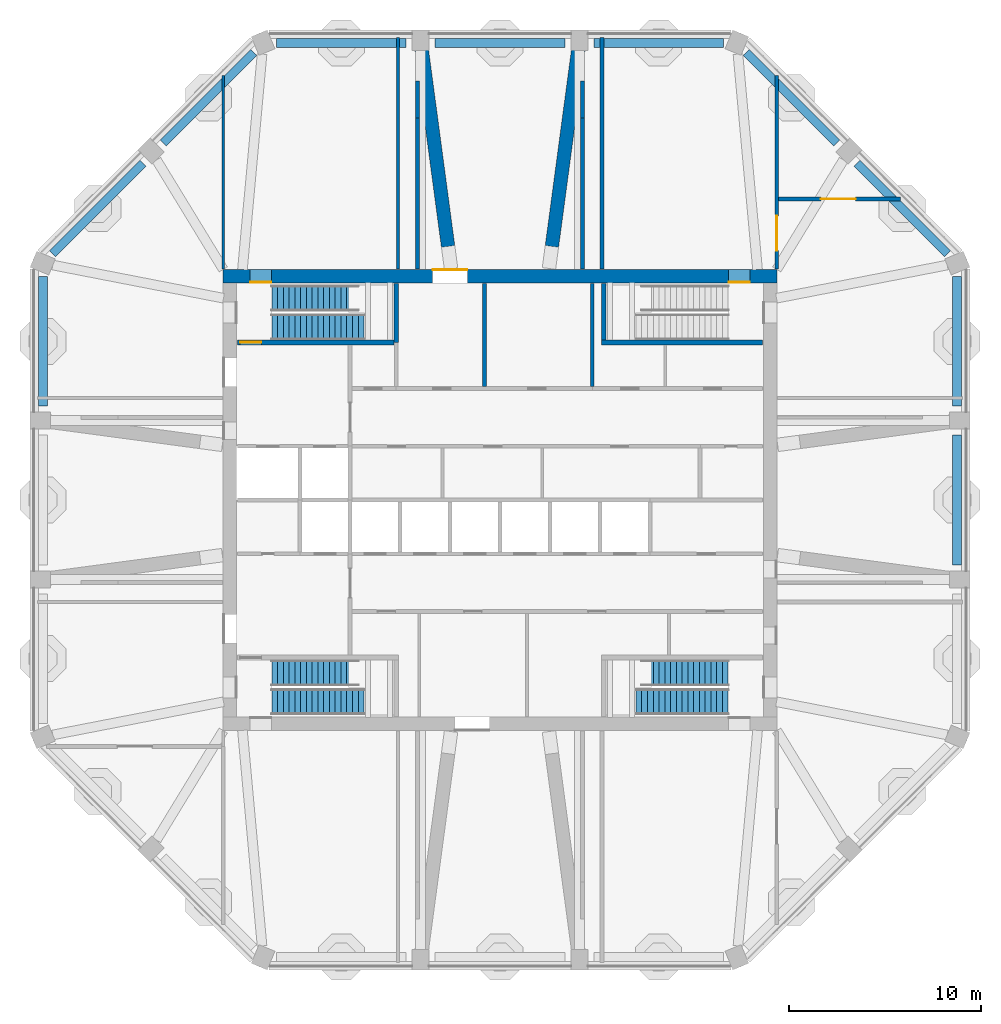
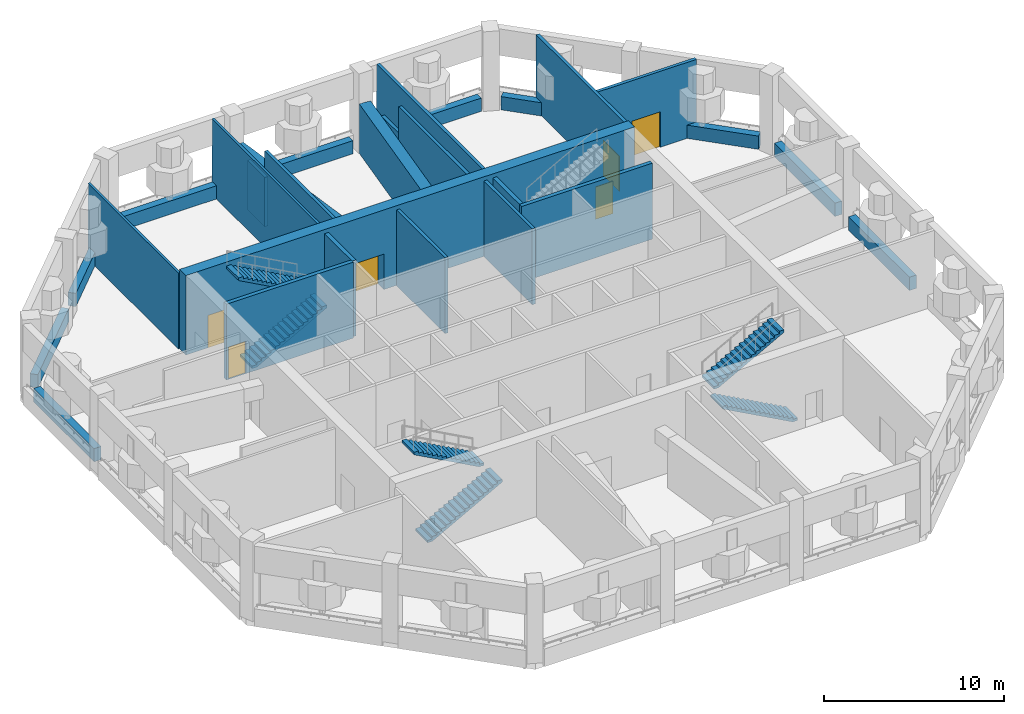
# One storey, part 5 of 9: 28 walls, 6 doors, 6 stair flights, 6 openings, 3 elements without a shape of their own.
"""IFC4 building model written with IfcOpenShell, lengths in metres."""

from ifc_helpers import new_model, si_unit, direction, frame, frame_2d, origin, place, context, subcontext, project, spatial, polyline, rectangle, outline, extrude, material, layer, layer_set, type_object, element, fill, aggregate, save


model = new_model("IFC4")

# Units and contexts
model_context = context("Model", 3, precision=1e-05, world=origin(), true_north=direction((0.0, 1.0)))
body_context = subcontext(model_context, "Body", "Model", "MODEL_VIEW")
ifc_project = project(units=[si_unit("LENGTHUNIT", "METRE"), si_unit("AREAUNIT", "SQUARE_METRE"), si_unit("VOLUMEUNIT", "CUBIC_METRE"), si_unit("PLANEANGLEUNIT", "RADIAN"), si_unit("MASSUNIT", "GRAM", prefix="KILO")], contexts=[model_context])

# Site, building, storey
site_placement = place(None, origin())
site = spatial("IfcSite", under=ifc_project, at=site_placement, CompositionType="ELEMENT")
building_placement = place(site_placement, origin())
building = spatial("IfcBuilding", under=site, at=building_placement, Name="Msitu Wima Residences", CompositionType="ELEMENT")
storey_placement = place(building_placement, frame((0.0, 0.0, 208.5)))
storey = spatial("IfcBuildingStorey", under=building, at=storey_placement, Name="L48", CompositionType="ELEMENT", Elevation=208.5)

# Walls
ifc_material_1 = material(Name="Facing brick")
ifc_layer_1 = layer(ifc_material_1, 0.06494140625, Name="Facing brick")
ifc_material_2 = material(Name="Concrete C40/50", Category="concrete")
ifc_layer_2 = layer(ifc_material_2, 0.156005859375, Name="Concrete C40/50")
ifc_material_3 = material(Name="Waterproofing membrane")
ifc_layer_3 = layer(ifc_material_3, 0.00390625, Name="Waterproofing membrane")
ifc_material_4 = material(Name="Planting soil and planting")
ifc_layer_4 = layer(ifc_material_4, 0.22509765625, Name="Planting soil and planting")
ifc_layer_set_1 = layer_set([ifc_layer_1, ifc_layer_2, ifc_layer_3, ifc_layer_4], Name="Concrete C40/50")
wall_type_1 = type_object("IfcWallType", Name="Balcony planter PLANTER PL450", PredefinedType="USERDEFINED", material=ifc_layer_set_1)
wall_1_placement = place(storey_placement, frame((23.77490234375, -3.38720703125, 0.0), z_axis=(0.0, 0.0, 1.0), x_axis=(0.0, 1.0, 0.0)))
element("IfcWall", 1, at=wall_1_placement, inside=storey, type_object=wall_type_1, Name="Refuge planter L48 E1", ObjectType="PLANTER", PredefinedType="USERDEFINED", context=body_context, shape_type="SweptSolid", body=[
    extrude(rectangle(XDim=6.7744140625, YDim=0.449951171875, at=frame_2d((3.38720703125, 0.0))), origin(), (0.0, 0.0, 1.0), 0.89990234375),
])
wall_2_placement = place(storey_placement, frame((23.77490234375, 4.88720703125, 0.0), z_axis=(0.0, 0.0, 1.0), x_axis=(0.0, 1.0, 0.0)))
element("IfcWall", 2, at=wall_2_placement, inside=storey, type_object=wall_type_1, Name="Refuge planter L48 E2", ObjectType="PLANTER", PredefinedType="USERDEFINED", context=body_context, shape_type="SweptSolid", body=[
    extrude(rectangle(XDim=6.737548828125, YDim=0.449951171875, at=frame_2d((3.36865234375, 0.0))), origin(), (0.0, 0.0, 1.0), 0.89990234375),
])
for number, where, z_axis, x_axis, name in (
    (3, (23.284423828125, 12.809326171875, 0.0), (0.0, 0.0, 1.0), (-0.707125118305, 0.707088443593, 0.0), "Refuge planter L48 NE0"),
    (4, (17.516357421875, 18.5771484375, 0.0), (0.0, 0.0, 1.0), (-0.707088443593, 0.707125118305, 0.0), "Refuge planter L48 NE1"),
):
    element("IfcWall", number, at=place(storey_placement, frame(where, z_axis=z_axis, x_axis=x_axis)), inside=storey, type_object=wall_type_1, Name=name, ObjectType="PLANTER", PredefinedType="USERDEFINED", context=body_context, shape_type="SweptSolid", body=[
        extrude(rectangle(XDim=6.656982421875, YDim=0.449951171875, at=frame_2d((3.32861328125, 0.0))), origin(), (0.0, 0.0, 1.0), 0.89990234375),
    ])
wall_3_placement = place(storey_placement, frame((11.624755859375, 23.77490234375, 0.0), z_axis=(0.0, 0.0, 1.0), x_axis=(-1.0, 0.0, 0.0)))
element("IfcWall", 5, at=wall_3_placement, inside=storey, type_object=wall_type_1, Name="Refuge planter L48 N0", ObjectType="PLANTER", PredefinedType="USERDEFINED", context=body_context, shape_type="SweptSolid", body=[
    extrude(rectangle(XDim=6.737548828125, YDim=0.449951171875, at=frame_2d((3.36865234375, 0.0))), origin(), (0.0, 0.0, 1.0), 0.89990234375),
])
wall_4_placement = place(storey_placement, frame((3.38720703125, 23.77490234375, 0.0), z_axis=(0.0, 0.0, 1.0), x_axis=(-1.0, 0.0, 0.0)))
element("IfcWall", 6, at=wall_4_placement, inside=storey, type_object=wall_type_1, Name="Refuge planter L48 N1", ObjectType="PLANTER", PredefinedType="USERDEFINED", context=body_context, shape_type="SweptSolid", body=[
    extrude(rectangle(XDim=6.7744140625, YDim=0.449951171875, at=frame_2d((3.38720703125, 0.0))), origin(), (0.0, 0.0, 1.0), 0.89990234375),
])
wall_5_placement = place(storey_placement, frame((-4.88720703125, 23.77490234375, 0.0), z_axis=(0.0, 0.0, 1.0), x_axis=(-1.0, 0.0, 0.0)))
element("IfcWall", 7, at=wall_5_placement, inside=storey, type_object=wall_type_1, Name="Refuge planter L48 N2", ObjectType="PLANTER", PredefinedType="USERDEFINED", context=body_context, shape_type="SweptSolid", body=[
    extrude(rectangle(XDim=6.737548828125, YDim=0.449951171875, at=frame_2d((3.36865234375, 0.0))), origin(), (0.0, 0.0, 1.0), 0.89990234375),
])
for number, where, z_axis, x_axis, name in (
    (8, (-12.809326171875, 23.284423828125, 0.0), (0.0, 0.0, 1.0), (-0.707088443593, -0.707125118305, 0.0), "Refuge planter L48 NW0"),
    (9, (-18.5771484375, 17.516357421875, 0.0), (0.0, 0.0, 1.0), (-0.707125118305, -0.707088443593, 0.0), "Refuge planter L48 NW1"),
):
    element("IfcWall", number, at=place(storey_placement, frame(where, z_axis=z_axis, x_axis=x_axis)), inside=storey, type_object=wall_type_1, Name=name, ObjectType="PLANTER", PredefinedType="USERDEFINED", context=body_context, shape_type="SweptSolid", body=[
        extrude(rectangle(XDim=6.656982421875, YDim=0.449951171875, at=frame_2d((3.32861328125, 0.0))), origin(), (0.0, 0.0, 1.0), 0.89990234375),
    ])
wall_6_placement = place(storey_placement, frame((-23.77490234375, 11.624755859375, 0.0), z_axis=(0.0, 0.0, 1.0), x_axis=(0.0, -1.0, 0.0)))
element("IfcWall", 10, at=wall_6_placement, inside=storey, type_object=wall_type_1, Name="Refuge planter L48 W0", ObjectType="PLANTER", PredefinedType="USERDEFINED", context=body_context, shape_type="SweptSolid", body=[
    extrude(rectangle(XDim=6.737548828125, YDim=0.449951171875, at=frame_2d((3.36865234375, 0.0))), origin(), (0.0, 0.0, 1.0), 0.89990234375),
])

# Wall, openings, doors
ifc_material_5 = material(Name="Concrete C60/75", Category="concrete")
ifc_layer_5 = layer(ifc_material_5, 0.699951171875)
ifc_layer_set_2 = layer_set([ifc_layer_5], Name="Concrete C60/75")
wall_type_2 = type_object("IfcWallType", Name="Core wall CW700 C60/75", PredefinedType="SHEAR", material=ifc_layer_set_2)
wall_7_placement = place(storey_placement, frame((-14.39990234375, 11.64990234375, 0.0), z_axis=(0.0, 0.0, 1.0), x_axis=(1.0, 0.0, 0.0)))
wall_7 = element("IfcWall", 11, at=wall_7_placement, inside=storey, type_object=wall_type_2, Name="Core wall", PredefinedType="SHEAR", context=body_context, shape_type="SweptSolid", body=[
    extrude(rectangle(XDim=28.7998046875, YDim=0.699951171875, at=frame_2d((14.39990234375, 0.0))), origin(), (0.0, 0.0, 1.0), 5.39990234375),
])
opening_1_placement = place(wall_7_placement, frame((1.39990234375, 0.0, 0.0)))
opening_1 = element("IfcOpeningElement", 12, at=opening_1_placement, cuts=wall_7, Name="Opening D48.020", PredefinedType="OPENING", context=body_context, shape_type="SweptSolid", body=[
    extrude(rectangle(XDim=1.10009765625, YDim=2.199951171875, at=frame_2d((0.550048828125, 1.10009765625))), frame((0.0, 0.35986328125, 0.0), z_axis=(0.0, -1.0, 0.0), x_axis=(1.0, 0.0, 0.0)), (0.0, 0.0, 1.0), 0.719970703125),
])
opening_2_placement = place(wall_7_placement, frame((26.300048828125, 0.0, 0.0)))
opening_2 = element("IfcOpeningElement", 13, at=opening_2_placement, cuts=wall_7, Name="Opening D48.022", PredefinedType="OPENING", context=body_context, shape_type="SweptSolid", body=[
    extrude(rectangle(XDim=1.10009765625, YDim=2.199951171875, at=frame_2d((0.550048828125, 1.10009765625))), frame((0.0, 0.35986328125, 0.0), z_axis=(0.0, -1.0, 0.0), x_axis=(1.0, 0.0, 0.0)), (0.0, 0.0, 1.0), 0.719970703125),
])
opening_3_placement = place(wall_7_placement, frame((10.89990234375, 0.0, 0.0)))
opening_3 = element("IfcOpeningElement", 14, at=opening_3_placement, cuts=wall_7, Name="Opening D48.024", PredefinedType="OPENING", context=body_context, shape_type="SweptSolid", body=[
    extrude(rectangle(XDim=1.800048828125, YDim=2.39990234375, at=frame_2d((0.89990234375, 1.199951171875))), frame((0.0, 0.35986328125, 0.0), z_axis=(0.0, -1.0, 0.0), x_axis=(1.0, 0.0, 0.0)), (0.0, 0.0, 1.0), 0.719970703125),
])
ifc_material_6 = material(Name="Steel door, fire resisting", Category="steel")
door_type_1 = type_object("IfcDoorType", Name="Plant room door D09 1800x2400", OperationType="DOUBLE_DOOR_SINGLE_SWING", PredefinedType="DOOR", material=ifc_material_6)
door_1_placement = place(opening_3_placement, origin())
door_1 = element("IfcDoor", 15, at=door_1_placement, inside=storey, type_object=door_type_1, Name="Plant room door", OperationType="DOUBLE_DOOR_SINGLE_SWING", OverallHeight=2.39990234375, OverallWidth=1.800048828125, PredefinedType="DOOR", context=body_context, shape_type="SweptSolid", body=[
    extrude(rectangle(XDim=1.800048828125, YDim=2.39990234375, at=frame_2d((0.89990234375, 1.199951171875))), frame((0.0, 0.34521484375, 0.0), z_axis=(0.0, -1.0, 0.0), x_axis=(1.0, 0.0, 0.0)), (0.0, 0.0, 1.0), 0.050048828125),
])
fill(opening_3, door_1)
ifc_material_7 = material(Name="Steel door, fire resisting, panic bar", Category="steel")
door_type_2 = type_object("IfcDoorType", Name="Stair door D06 1100x2200", OperationType="SINGLE_SWING_LEFT", PredefinedType="DOOR", material=ifc_material_7)
door_2_placement = place(opening_1_placement, origin())
door_2 = element("IfcDoor", 16, at=door_2_placement, inside=storey, type_object=door_type_2, Name="Stair door", OperationType="SINGLE_SWING_RIGHT", OverallHeight=2.199951171875, OverallWidth=1.10009765625, PredefinedType="DOOR", context=body_context, shape_type="SweptSolid", body=[
    extrude(rectangle(XDim=1.10009765625, YDim=2.199951171875, at=frame_2d((0.550048828125, 1.10009765625))), frame((0.0, -0.294921875, 0.0), z_axis=(0.0, -1.0, 0.0), x_axis=(1.0, 0.0, 0.0)), (0.0, 0.0, 1.0), 0.050048828125),
])
fill(opening_1, door_2)
door_3_placement = place(opening_2_placement, origin())
door_3 = element("IfcDoor", 17, at=door_3_placement, inside=storey, type_object=door_type_2, Name="Stair door", OperationType="SINGLE_SWING_LEFT", OverallHeight=2.199951171875, OverallWidth=1.10009765625, PredefinedType="DOOR", context=body_context, shape_type="SweptSolid", body=[
    extrude(rectangle(XDim=1.10009765625, YDim=2.199951171875, at=frame_2d((0.550048828125, 1.10009765625))), frame((0.0, -0.294921875, 0.0), z_axis=(0.0, -1.0, 0.0), x_axis=(1.0, 0.0, 0.0)), (0.0, 0.0, 1.0), 0.050048828125),
])
fill(opening_2, door_3)

# Walls
ifc_material_8 = material(Name="Concrete C80/95", Category="concrete")
ifc_layer_6 = layer(ifc_material_8, 0.699951171875)
ifc_layer_set_3 = layer_set([ifc_layer_6], Name="Concrete C80/95")
wall_type_3 = type_object("IfcWallType", Name="Outrigger wall 700 Concrete C80/95", PredefinedType="SHEAR", material=ifc_layer_set_3)
for number, where, z_axis, x_axis, name in (
    (18, (2.699951171875, 13.189453125, 0.0), (0.0, 0.0, 1.0), (0.132693057304, 0.991157178526, 0.0), "Outrigger wall L48 C-N1"),
    (19, (-2.699951171875, 13.189453125, 0.0), (0.0, 0.0, 1.0), (-0.132693057304, 0.991157178526, 0.0), "Outrigger wall L48 C-N2"),
):
    element("IfcWall", number, at=place(storey_placement, frame(where, z_axis=z_axis, x_axis=x_axis)), inside=storey, type_object=wall_type_3, Name=name, PredefinedType="SHEAR", context=body_context, shape_type="SweptSolid", body=[
        extrude(rectangle(XDim=10.301513671875, YDim=0.699951171875, at=frame_2d((5.15087890625, 0.0))), origin(), (0.0, 0.0, 1.0), 3.35009765625),
    ])
ifc_material_9 = material(Name="Plaster")
ifc_layer_7 = layer(ifc_material_9, 0.011962890625, Name="Plaster")
ifc_material_10 = material(Name="Concrete blockwork", Category="masonry")
ifc_layer_8 = layer(ifc_material_10, 0.1259765625, Name="Concrete blockwork")
ifc_layer_9 = layer(ifc_material_9, 0.011962890625, Name="Plaster")
ifc_layer_set_4 = layer_set([ifc_layer_7, ifc_layer_8, ifc_layer_9], Name="Concrete blockwork")
wall_type_4 = type_object("IfcWallType", Name="Partition PW150", PredefinedType="PARTITIONING", material=ifc_layer_set_4)
wall_8_placement = place(storey_placement, frame((-14.39990234375, 12.030029296875, 0.0), z_axis=(0.0, 0.0, 1.0), x_axis=(0.0, 1.0, 0.0)))
element("IfcWall", 20, at=wall_8_placement, inside=storey, type_object=wall_type_4, Name="Partition", PredefinedType="PARTITIONING", context=body_context, shape_type="SweptSolid", body=[
    extrude(rectangle(XDim=10.0595703125, YDim=0.14990234375, at=frame_2d((5.02978515625, 0.0))), origin(), (0.0, 0.0, 1.0), 5.14990234375),
])
wall_9_placement = place(storey_placement, frame((-5.300048828125, 12.030029296875, 0.0), z_axis=(0.0, 0.0, 1.0), x_axis=(0.0, 1.0, 0.0)))
element("IfcWall", 21, at=wall_9_placement, inside=storey, type_object=wall_type_4, Name="Partition", PredefinedType="PARTITIONING", context=body_context, shape_type="SweptSolid", body=[
    extrude(rectangle(XDim=12.02490234375, YDim=0.14990234375, at=frame_2d((6.012451171875, 0.0))), origin(), (0.0, 0.0, 1.0), 5.14990234375),
])
ifc_layer_10 = layer(ifc_material_9, 0.011962890625, Name="Plaster")
ifc_material_11 = material(Name="Reinforced concrete blockwork", Category="masonry")
ifc_layer_11 = layer(ifc_material_11, 0.176025390625, Name="Reinforced concrete blockwork")
ifc_layer_12 = layer(ifc_material_9, 0.011962890625, Name="Plaster")
ifc_layer_set_5 = layer_set([ifc_layer_10, ifc_layer_11, ifc_layer_12], Name="Reinforced concrete blockwork")
wall_type_5 = type_object("IfcWallType", Name="Plant and riser wall PL200", PredefinedType="PARTITIONING", material=ifc_layer_set_5)
wall_10_placement = place(storey_placement, frame((-4.300048828125, 12.030029296875, 0.0), z_axis=(0.0, 0.0, 1.0), x_axis=(0.0, 1.0, 0.0)))
element("IfcWall", 22, at=wall_10_placement, inside=storey, type_object=wall_type_5, Name="Plant and riser wall", PredefinedType="PARTITIONING", context=body_context, shape_type="SweptSolid", body=[
    extrude(rectangle(XDim=7.84228515625, YDim=0.199951171875, at=frame_2d((3.921142578125, 0.0))), origin(), (0.0, 0.0, 1.0), 5.14990234375),
])
wall_11_placement = place(storey_placement, frame((-4.300048828125, 19.872314453125, 0.0), z_axis=(0.0, 0.0, 1.0), x_axis=(0.0, 1.0, 0.0)))
element("IfcWall", 23, at=wall_11_placement, inside=storey, type_object=wall_type_5, Name="Plant and riser wall", PredefinedType="PARTITIONING", context=body_context, shape_type="SweptSolid", body=[
    extrude(rectangle(XDim=1.9306640625, YDim=0.199951171875, at=frame_2d((0.96533203125, 0.0))), origin(), (0.0, 0.0, 1.0), 3.35009765625),
])
wall_12_placement = place(storey_placement, frame((-0.800048828125, 5.89990234375, 0.0), z_axis=(0.0, 0.0, 1.0), x_axis=(0.0, 1.0, 0.0)))
element("IfcWall", 24, at=wall_12_placement, inside=storey, type_object=wall_type_5, Name="Plant and riser wall", PredefinedType="PARTITIONING", context=body_context, shape_type="SweptSolid", body=[
    extrude(rectangle(XDim=5.3701171875, YDim=0.199951171875, at=frame_2d((2.68505859375, 0.0))), origin(), (0.0, 0.0, 1.0), 5.14990234375),
])
wall_13_placement = place(storey_placement, frame((4.300048828125, 12.030029296875, 0.0), z_axis=(0.0, 0.0, 1.0), x_axis=(0.0, 1.0, 0.0)))
element("IfcWall", 25, at=wall_13_placement, inside=storey, type_object=wall_type_5, Name="Plant and riser wall", PredefinedType="PARTITIONING", context=body_context, shape_type="SweptSolid", body=[
    extrude(rectangle(XDim=7.84228515625, YDim=0.199951171875, at=frame_2d((3.921142578125, 0.0))), origin(), (0.0, 0.0, 1.0), 5.14990234375),
])
wall_14_placement = place(storey_placement, frame((4.300048828125, 19.872314453125, 0.0), z_axis=(0.0, 0.0, 1.0), x_axis=(0.0, 1.0, 0.0)))
element("IfcWall", 26, at=wall_14_placement, inside=storey, type_object=wall_type_5, Name="Plant and riser wall", PredefinedType="PARTITIONING", context=body_context, shape_type="SweptSolid", body=[
    extrude(rectangle(XDim=1.9306640625, YDim=0.199951171875, at=frame_2d((0.96533203125, 0.0))), origin(), (0.0, 0.0, 1.0), 3.35009765625),
])
wall_15_placement = place(storey_placement, frame((4.800048828125, 5.89990234375, 0.0), z_axis=(0.0, 0.0, 1.0), x_axis=(0.0, 1.0, 0.0)))
element("IfcWall", 27, at=wall_15_placement, inside=storey, type_object=wall_type_5, Name="Plant and riser wall", PredefinedType="PARTITIONING", context=body_context, shape_type="SweptSolid", body=[
    extrude(rectangle(XDim=5.3701171875, YDim=0.199951171875, at=frame_2d((2.68505859375, 0.0))), origin(), (0.0, 0.0, 1.0), 5.14990234375),
])
wall_16_placement = place(storey_placement, frame((5.300048828125, 12.030029296875, 0.0), z_axis=(0.0, 0.0, 1.0), x_axis=(0.0, 1.0, 0.0)))
element("IfcWall", 28, at=wall_16_placement, inside=storey, type_object=wall_type_5, Name="Plant and riser wall", PredefinedType="PARTITIONING", context=body_context, shape_type="SweptSolid", body=[
    extrude(rectangle(XDim=12.02490234375, YDim=0.199951171875, at=frame_2d((6.012451171875, 0.0))), origin(), (0.0, 0.0, 1.0), 5.14990234375),
])

# Wall, opening, door
wall_17_placement = place(storey_placement, frame((14.39990234375, 12.030029296875, 0.0), z_axis=(0.0, 0.0, 1.0), x_axis=(0.0, 1.0, 0.0)))
wall_17 = element("IfcWall", 29, at=wall_17_placement, inside=storey, type_object=wall_type_5, Name="Plant and riser wall", PredefinedType="PARTITIONING", context=body_context, shape_type="SweptSolid", body=[
    extrude(rectangle(XDim=10.0595703125, YDim=0.199951171875, at=frame_2d((5.02978515625, 0.0))), origin(), (0.0, 0.0, 1.0), 5.14990234375),
])
opening_4_placement = place(wall_17_placement, frame((0.949951171875, 0.0, 0.0)))
opening_4 = element("IfcOpeningElement", 30, at=opening_4_placement, cuts=wall_17, Name="Opening D48.036", PredefinedType="OPENING", context=body_context, shape_type="SweptSolid", body=[
    extrude(rectangle(XDim=1.800048828125, YDim=2.39990234375, at=frame_2d((0.89990234375, 1.199951171875))), frame((0.0, 0.10986328125, 0.0), z_axis=(0.0, -1.0, 0.0), x_axis=(1.0, 0.0, 0.0)), (0.0, 0.0, 1.0), 0.219970703125),
])
door_4_placement = place(opening_4_placement, origin())
door_4 = element("IfcDoor", 31, at=door_4_placement, inside=storey, type_object=door_type_1, Name="Plant room door", OperationType="DOUBLE_DOOR_SINGLE_SWING", OverallHeight=2.39990234375, OverallWidth=1.800048828125, PredefinedType="DOOR", context=body_context, shape_type="SweptSolid", body=[
    extrude(rectangle(XDim=1.800048828125, YDim=2.39990234375, at=frame_2d((0.89990234375, 1.199951171875))), frame((0.0, 0.02490234375, 0.0), z_axis=(0.0, -1.0, 0.0), x_axis=(1.0, 0.0, 0.0)), (0.0, 0.0, 1.0), 0.050048828125),
])
fill(opening_4, door_4)

wall_18_placement = place(storey_placement, frame((14.5, 15.661376953125, 0.0), z_axis=(0.0, 0.0, 1.0), x_axis=(1.0, 0.0, 0.0)))
wall_18 = element("IfcWall", 32, at=wall_18_placement, inside=storey, type_object=wall_type_5, Name="Plant and riser wall", PredefinedType="PARTITIONING", context=body_context, shape_type="SweptSolid", body=[
    extrude(rectangle(XDim=6.328369140625, YDim=0.199951171875, at=frame_2d((3.1640625, 0.0))), origin(), (0.0, 0.0, 1.0), 5.14990234375),
])
opening_5_placement = place(wall_18_placement, frame((2.199951171875, 0.0, 0.0)))
opening_5 = element("IfcOpeningElement", 33, at=opening_5_placement, cuts=wall_18, Name="Opening D48.027", PredefinedType="OPENING", context=body_context, shape_type="SweptSolid", body=[
    extrude(rectangle(XDim=1.800048828125, YDim=2.39990234375, at=frame_2d((0.89990234375, 1.199951171875))), frame((0.0, 0.10986328125, 0.0), z_axis=(0.0, -1.0, 0.0), x_axis=(1.0, 0.0, 0.0)), (0.0, 0.0, 1.0), 0.219970703125),
])
door_5_placement = place(opening_5_placement, origin())
door_5 = element("IfcDoor", 34, at=door_5_placement, inside=storey, type_object=door_type_1, Name="Plant room door", OperationType="DOUBLE_DOOR_SINGLE_SWING", OverallHeight=2.39990234375, OverallWidth=1.800048828125, PredefinedType="DOOR", context=body_context, shape_type="SweptSolid", body=[
    extrude(rectangle(XDim=1.800048828125, YDim=2.39990234375, at=frame_2d((0.89990234375, 1.199951171875))), frame((0.0, 0.02490234375, 0.0), z_axis=(0.0, -1.0, 0.0), x_axis=(1.0, 0.0, 0.0)), (0.0, 0.0, 1.0), 0.050048828125),
])
fill(opening_5, door_5)

ifc_material_12 = material(Name="Concrete C50/60", Category="concrete")
ifc_layer_13 = layer(ifc_material_12, 0.25)
ifc_layer_set_6 = layer_set([ifc_layer_13], Name="Concrete C50/60")
wall_type_6 = type_object("IfcWallType", Name="Stair enclosure wall SW250", PredefinedType="SHEAR", material=ifc_layer_set_6)
wall_19_placement = place(storey_placement, frame((-13.669921875, 8.199951171875, 0.0), z_axis=(0.0, 0.0, 1.0), x_axis=(1.0, 0.0, 0.0)))
wall_19 = element("IfcWall", 35, at=wall_19_placement, inside=storey, type_object=wall_type_6, Name="Stair enclosure wall", PredefinedType="SHEAR", context=body_context, shape_type="SweptSolid", body=[
    extrude(rectangle(XDim=8.14501953125, YDim=0.25, at=frame_2d((4.072509765625, 0.0))), origin(), (0.0, 0.0, 1.0), 5.14990234375),
])
opening_6_placement = place(wall_19_placement, frame((0.14990234375, 0.0, 0.0)))
opening_6 = element("IfcOpeningElement", 36, at=opening_6_placement, cuts=wall_19, Name="Opening D48.018", PredefinedType="OPENING", context=body_context, shape_type="SweptSolid", body=[
    extrude(rectangle(XDim=1.10009765625, YDim=2.199951171875, at=frame_2d((0.550048828125, 1.10009765625))), frame((0.0, 0.135009765625, 0.0), z_axis=(0.0, -1.0, 0.0), x_axis=(1.0, 0.0, 0.0)), (0.0, 0.0, 1.0), 0.27001953125),
])
door_6_placement = place(opening_6_placement, origin())
door_6 = element("IfcDoor", 37, at=door_6_placement, inside=storey, type_object=door_type_2, Name="Stair door", OperationType="SINGLE_SWING_LEFT", OverallHeight=2.199951171875, OverallWidth=1.10009765625, PredefinedType="DOOR", context=body_context, shape_type="SweptSolid", body=[
    extrude(rectangle(XDim=1.10009765625, YDim=2.199951171875, at=frame_2d((0.550048828125, 1.10009765625))), frame((0.0, 0.02490234375, 0.0), z_axis=(0.0, -1.0, 0.0), x_axis=(1.0, 0.0, 0.0)), (0.0, 0.0, 1.0), 0.050048828125),
])
fill(opening_6, door_6)

# Walls
wall_20_placement = place(storey_placement, frame((-5.39990234375, 8.199951171875, 0.0), z_axis=(0.0, 0.0, 1.0), x_axis=(0.0, 1.0, 0.0)))
element("IfcWall", 38, at=wall_20_placement, inside=storey, type_object=wall_type_6, Name="Stair enclosure wall", PredefinedType="SHEAR", context=body_context, shape_type="SweptSolid", body=[
    extrude(rectangle(XDim=3.070068359375, YDim=0.25, at=frame_2d((1.53515625, 0.0))), origin(), (0.0, 0.0, 1.0), 5.14990234375),
])
wall_21_placement = place(storey_placement, frame((5.39990234375, 8.324951171875, 0.0), z_axis=(0.0, 0.0, 1.0), x_axis=(0.0, 1.0, 0.0)))
element("IfcWall", 39, at=wall_21_placement, inside=storey, type_object=wall_type_6, Name="Stair enclosure wall", PredefinedType="SHEAR", context=body_context, shape_type="SweptSolid", body=[
    extrude(rectangle(XDim=2.945068359375, YDim=0.25, at=frame_2d((1.47265625, 0.0))), origin(), (0.0, 0.0, 1.0), 5.14990234375),
])
wall_22_placement = place(storey_placement, frame((5.27490234375, 8.199951171875, 0.0), z_axis=(0.0, 0.0, 1.0), x_axis=(1.0, 0.0, 0.0)))
element("IfcWall", 40, at=wall_22_placement, inside=storey, type_object=wall_type_6, Name="Stair enclosure wall", PredefinedType="SHEAR", context=body_context, shape_type="SweptSolid", body=[
    extrude(rectangle(XDim=8.39501953125, YDim=0.25, at=frame_2d((4.197509765625, 0.0))), origin(), (0.0, 0.0, 1.0), 5.14990234375),
])

# Stair, stair flights
stair_type = type_object("IfcStairType", Name="Exit stair ES1636-135", PredefinedType="HALF_TURN_STAIR", material=ifc_material_2)
stair_1_placement = place(storey_placement, origin())
stair_1 = element("IfcStair", 41, at=stair_1_placement, inside=storey, type_object=stair_type, Name="Exit stair 1", PredefinedType="HALF_TURN_STAIR")
stair_flight_type = type_object("IfcStairFlightType", Name="Exit stair flight ES1636-135", PredefinedType="STRAIGHT", material=ifc_material_2)
stair_flight_1_placement = place(storey_placement, frame((-11.875, 9.0, 0.0), z_axis=(0.0, 0.0, 1.0), x_axis=(1.0, 0.0, 0.0)))
stair_flight_1 = element("IfcStairFlight", 42, at=stair_flight_1_placement, type_object=stair_flight_type, Name="S1 flight 1", NumberOfRisers=17, NumberOfTreads=16, PredefinedType="STRAIGHT", RiserHeight=0.163636364, TreadLength=0.3, context=body_context, shape_type="SweptSolid", body=[
    extrude(outline(polyline([(0.0, 0.0), (0.0, 0.16357421875), (0.300048828125, 0.16357421875), (0.300048828125, 0.327392578125), (0.60009765625, 0.327392578125), (0.60009765625, 0.490966796875), (0.89990234375, 0.490966796875), (0.89990234375, 0.654541015625), (1.199951171875, 0.654541015625), (1.199951171875, 0.818115234375), (1.5, 0.818115234375), (1.5, 0.98193359375), (1.800048828125, 0.98193359375), (1.800048828125, 1.1455078125), (2.10009765625, 1.1455078125), (2.10009765625, 1.30908203125), (2.39990234375, 1.30908203125), (2.39990234375, 1.47265625), (2.699951171875, 1.47265625), (2.699951171875, 1.636474609375), (3.0, 1.636474609375), (3.0, 1.800048828125), (3.300048828125, 1.800048828125), (3.300048828125, 1.963623046875), (3.60009765625, 1.963623046875), (3.60009765625, 2.127197265625), (3.89990234375, 2.127197265625), (3.89990234375, 2.291015625), (4.199951171875, 2.291015625), (4.199951171875, 2.45458984375), (4.5, 2.45458984375), (4.5, 2.6181640625), (4.800048828125, 2.6181640625), (4.800048828125, 2.78173828125), (4.800048828125, 2.447509765625), (0.31298828125, 0.0), (0.0, 0.0)])), frame((0.0, 0.675048828125, 0.0), z_axis=(0.0, -1.0, 0.0), x_axis=(1.0, 0.0, 0.0)), (0.0, 0.0, 1.0), 1.35009765625),
])
stair_flight_2_placement = place(storey_placement, frame((-7.375, 10.5, 2.78173828125), z_axis=(0.0, 0.0, 1.0), x_axis=(-1.0, 0.0, 0.0)))
stair_flight_2 = element("IfcStairFlight", 43, at=stair_flight_2_placement, type_object=stair_flight_type, Name="S1 flight 2", NumberOfRisers=16, NumberOfTreads=15, PredefinedType="STRAIGHT", RiserHeight=0.163636364, TreadLength=0.3, context=body_context, shape_type="SweptSolid", body=[
    extrude(outline(polyline([(0.0, 0.0), (0.0, 0.16357421875), (0.300048828125, 0.16357421875), (0.300048828125, 0.327392578125), (0.60009765625, 0.327392578125), (0.60009765625, 0.490966796875), (0.89990234375, 0.490966796875), (0.89990234375, 0.654541015625), (1.199951171875, 0.654541015625), (1.199951171875, 0.818115234375), (1.5, 0.818115234375), (1.5, 0.98193359375), (1.800048828125, 0.98193359375), (1.800048828125, 1.1455078125), (2.10009765625, 1.1455078125), (2.10009765625, 1.30908203125), (2.39990234375, 1.30908203125), (2.39990234375, 1.47265625), (2.699951171875, 1.47265625), (2.699951171875, 1.636474609375), (3.0, 1.636474609375), (3.0, 1.800048828125), (3.300048828125, 1.800048828125), (3.300048828125, 1.963623046875), (3.60009765625, 1.963623046875), (3.60009765625, 2.127197265625), (3.89990234375, 2.127197265625), (3.89990234375, 2.291015625), (4.199951171875, 2.291015625), (4.199951171875, 2.45458984375), (4.5, 2.45458984375), (4.5, 2.6181640625), (4.5, 2.28369140625), (0.31298828125, 0.0), (0.0, 0.0)])), frame((0.0, 0.675048828125, 0.0), z_axis=(0.0, -1.0, 0.0), x_axis=(1.0, 0.0, 0.0)), (0.0, 0.0, 1.0), 1.35009765625),
])
aggregate(stair_1, [stair_flight_1, stair_flight_2])

stair_2_placement = place(storey_placement, origin())
stair_2 = element("IfcStair", 44, at=stair_2_placement, inside=storey, type_object=stair_type, Name="Exit stair 2", PredefinedType="HALF_TURN_STAIR")
stair_flight_3_placement = place(storey_placement, frame((-11.875, -10.5, 0.0), z_axis=(0.0, 0.0, 1.0), x_axis=(1.0, 0.0, 0.0)))
stair_flight_3 = element("IfcStairFlight", 45, at=stair_flight_3_placement, type_object=stair_flight_type, Name="S2 flight 1", NumberOfRisers=17, NumberOfTreads=16, PredefinedType="STRAIGHT", RiserHeight=0.163636364, TreadLength=0.3, context=body_context, shape_type="SweptSolid", body=[
    extrude(outline(polyline([(0.0, 0.0), (0.0, 0.16357421875), (0.300048828125, 0.16357421875), (0.300048828125, 0.327392578125), (0.60009765625, 0.327392578125), (0.60009765625, 0.490966796875), (0.89990234375, 0.490966796875), (0.89990234375, 0.654541015625), (1.199951171875, 0.654541015625), (1.199951171875, 0.818115234375), (1.5, 0.818115234375), (1.5, 0.98193359375), (1.800048828125, 0.98193359375), (1.800048828125, 1.1455078125), (2.10009765625, 1.1455078125), (2.10009765625, 1.30908203125), (2.39990234375, 1.30908203125), (2.39990234375, 1.47265625), (2.699951171875, 1.47265625), (2.699951171875, 1.636474609375), (3.0, 1.636474609375), (3.0, 1.800048828125), (3.300048828125, 1.800048828125), (3.300048828125, 1.963623046875), (3.60009765625, 1.963623046875), (3.60009765625, 2.127197265625), (3.89990234375, 2.127197265625), (3.89990234375, 2.291015625), (4.199951171875, 2.291015625), (4.199951171875, 2.45458984375), (4.5, 2.45458984375), (4.5, 2.6181640625), (4.800048828125, 2.6181640625), (4.800048828125, 2.78173828125), (4.800048828125, 2.447509765625), (0.31298828125, 0.0), (0.0, 0.0)])), frame((0.0, 0.675048828125, 0.0), z_axis=(0.0, -1.0, 0.0), x_axis=(1.0, 0.0, 0.0)), (0.0, 0.0, 1.0), 1.35009765625),
])
stair_flight_4_placement = place(storey_placement, frame((-7.375, -9.0, 2.78173828125), z_axis=(0.0, 0.0, 1.0), x_axis=(-1.0, 0.0, 0.0)))
stair_flight_4 = element("IfcStairFlight", 46, at=stair_flight_4_placement, type_object=stair_flight_type, Name="S2 flight 2", NumberOfRisers=16, NumberOfTreads=15, PredefinedType="STRAIGHT", RiserHeight=0.163636364, TreadLength=0.3, context=body_context, shape_type="SweptSolid", body=[
    extrude(outline(polyline([(0.0, 0.0), (0.0, 0.16357421875), (0.300048828125, 0.16357421875), (0.300048828125, 0.327392578125), (0.60009765625, 0.327392578125), (0.60009765625, 0.490966796875), (0.89990234375, 0.490966796875), (0.89990234375, 0.654541015625), (1.199951171875, 0.654541015625), (1.199951171875, 0.818115234375), (1.5, 0.818115234375), (1.5, 0.98193359375), (1.800048828125, 0.98193359375), (1.800048828125, 1.1455078125), (2.10009765625, 1.1455078125), (2.10009765625, 1.30908203125), (2.39990234375, 1.30908203125), (2.39990234375, 1.47265625), (2.699951171875, 1.47265625), (2.699951171875, 1.636474609375), (3.0, 1.636474609375), (3.0, 1.800048828125), (3.300048828125, 1.800048828125), (3.300048828125, 1.963623046875), (3.60009765625, 1.963623046875), (3.60009765625, 2.127197265625), (3.89990234375, 2.127197265625), (3.89990234375, 2.291015625), (4.199951171875, 2.291015625), (4.199951171875, 2.45458984375), (4.5, 2.45458984375), (4.5, 2.6181640625), (4.5, 2.28369140625), (0.31298828125, 0.0), (0.0, 0.0)])), frame((0.0, 0.675048828125, 0.0), z_axis=(0.0, -1.0, 0.0), x_axis=(1.0, 0.0, 0.0)), (0.0, 0.0, 1.0), 1.35009765625),
])
aggregate(stair_2, [stair_flight_3, stair_flight_4])

stair_3_placement = place(storey_placement, origin())
stair_3 = element("IfcStair", 47, at=stair_3_placement, inside=storey, type_object=stair_type, Name="Exit stair 4", PredefinedType="HALF_TURN_STAIR")
stair_flight_5_placement = place(storey_placement, frame((11.875, -10.5, 0.0), z_axis=(0.0, 0.0, 1.0), x_axis=(-1.0, 0.0, 0.0)))
stair_flight_5 = element("IfcStairFlight", 48, at=stair_flight_5_placement, type_object=stair_flight_type, Name="S4 flight 1", NumberOfRisers=17, NumberOfTreads=16, PredefinedType="STRAIGHT", RiserHeight=0.163636364, TreadLength=0.3, context=body_context, shape_type="SweptSolid", body=[
    extrude(outline(polyline([(0.0, 0.0), (0.0, 0.16357421875), (0.300048828125, 0.16357421875), (0.300048828125, 0.327392578125), (0.60009765625, 0.327392578125), (0.60009765625, 0.490966796875), (0.89990234375, 0.490966796875), (0.89990234375, 0.654541015625), (1.199951171875, 0.654541015625), (1.199951171875, 0.818115234375), (1.5, 0.818115234375), (1.5, 0.98193359375), (1.800048828125, 0.98193359375), (1.800048828125, 1.1455078125), (2.10009765625, 1.1455078125), (2.10009765625, 1.30908203125), (2.39990234375, 1.30908203125), (2.39990234375, 1.47265625), (2.699951171875, 1.47265625), (2.699951171875, 1.636474609375), (3.0, 1.636474609375), (3.0, 1.800048828125), (3.300048828125, 1.800048828125), (3.300048828125, 1.963623046875), (3.60009765625, 1.963623046875), (3.60009765625, 2.127197265625), (3.89990234375, 2.127197265625), (3.89990234375, 2.291015625), (4.199951171875, 2.291015625), (4.199951171875, 2.45458984375), (4.5, 2.45458984375), (4.5, 2.6181640625), (4.800048828125, 2.6181640625), (4.800048828125, 2.78173828125), (4.800048828125, 2.447509765625), (0.31298828125, 0.0), (0.0, 0.0)])), frame((0.0, 0.675048828125, 0.0), z_axis=(0.0, -1.0, 0.0), x_axis=(1.0, 0.0, 0.0)), (0.0, 0.0, 1.0), 1.35009765625),
])
stair_flight_6_placement = place(storey_placement, frame((7.375, -9.0, 2.78173828125), z_axis=(0.0, 0.0, 1.0), x_axis=(1.0, 0.0, 0.0)))
stair_flight_6 = element("IfcStairFlight", 49, at=stair_flight_6_placement, type_object=stair_flight_type, Name="S4 flight 2", NumberOfRisers=16, NumberOfTreads=15, PredefinedType="STRAIGHT", RiserHeight=0.163636364, TreadLength=0.3, context=body_context, shape_type="SweptSolid", body=[
    extrude(outline(polyline([(0.0, 0.0), (0.0, 0.16357421875), (0.300048828125, 0.16357421875), (0.300048828125, 0.327392578125), (0.60009765625, 0.327392578125), (0.60009765625, 0.490966796875), (0.89990234375, 0.490966796875), (0.89990234375, 0.654541015625), (1.199951171875, 0.654541015625), (1.199951171875, 0.818115234375), (1.5, 0.818115234375), (1.5, 0.98193359375), (1.800048828125, 0.98193359375), (1.800048828125, 1.1455078125), (2.10009765625, 1.1455078125), (2.10009765625, 1.30908203125), (2.39990234375, 1.30908203125), (2.39990234375, 1.47265625), (2.699951171875, 1.47265625), (2.699951171875, 1.636474609375), (3.0, 1.636474609375), (3.0, 1.800048828125), (3.300048828125, 1.800048828125), (3.300048828125, 1.963623046875), (3.60009765625, 1.963623046875), (3.60009765625, 2.127197265625), (3.89990234375, 2.127197265625), (3.89990234375, 2.291015625), (4.199951171875, 2.291015625), (4.199951171875, 2.45458984375), (4.5, 2.45458984375), (4.5, 2.6181640625), (4.5, 2.28369140625), (0.31298828125, 0.0), (0.0, 0.0)])), frame((0.0, 0.675048828125, 0.0), z_axis=(0.0, -1.0, 0.0), x_axis=(1.0, 0.0, 0.0)), (0.0, 0.0, 1.0), 1.35009765625),
])
aggregate(stair_3, [stair_flight_5, stair_flight_6])

save(model, "model.ifc")
